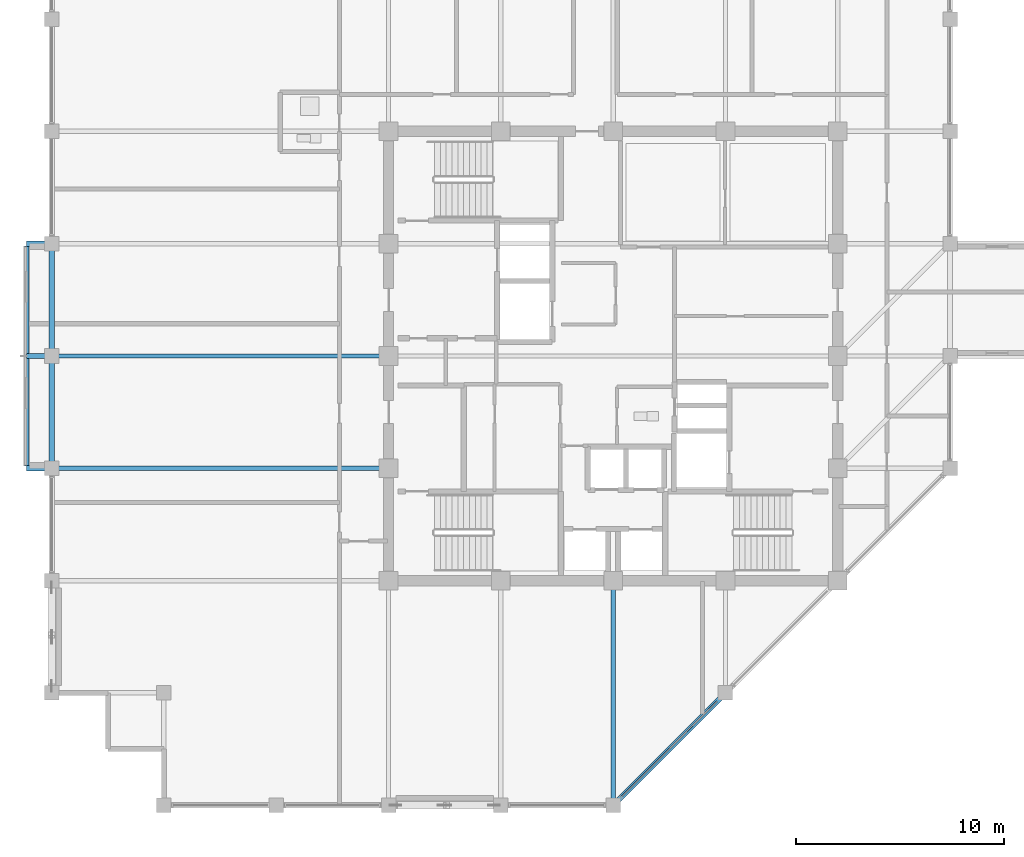
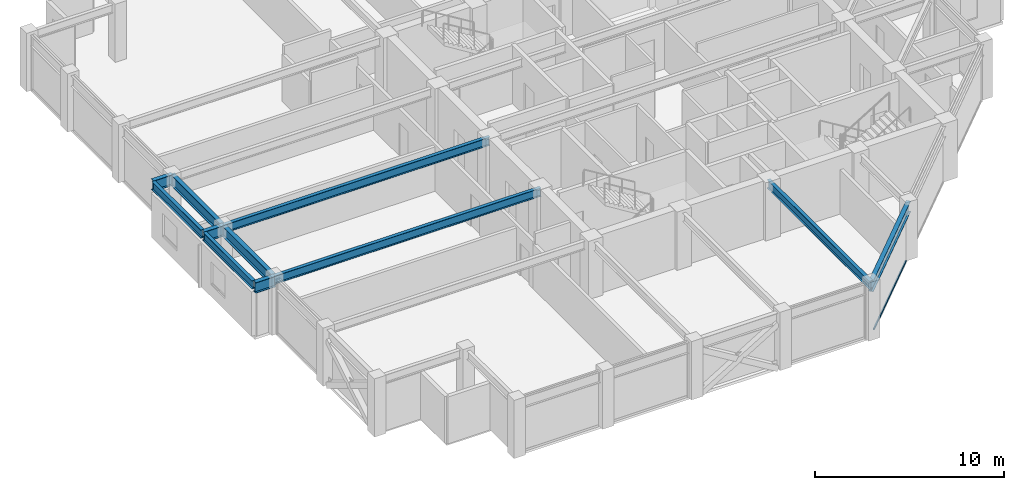
# One storey, part 7 of 30: 11 beams, 1 member, 1 element without a shape of its own.
"""IFC4 building model written with IfcOpenShell, lengths in metres."""

from ifc_helpers import new_model, si_unit, direction, frame, origin, origin_2d, place, context, subcontext, project, spatial, hollow_rectangle, i_section, extrude, material, layer, layer_set, material_profile, profile_set, type_object, element, aggregate, save


model = new_model("IFC4")

# Units and contexts
model_context = context("Model", 3, precision=1e-05, world=origin(), true_north=direction((0.0, 1.0)))
body_context = subcontext(model_context, "Body", "Model", "MODEL_VIEW")
ifc_project = project(units=[si_unit("LENGTHUNIT", "METRE"), si_unit("AREAUNIT", "SQUARE_METRE"), si_unit("VOLUMEUNIT", "CUBIC_METRE"), si_unit("PLANEANGLEUNIT", "RADIAN"), si_unit("MASSUNIT", "GRAM", prefix="KILO")], contexts=[model_context])

# Site, building, storey
site_placement = place(None, origin())
site = spatial("IfcSite", under=ifc_project, at=site_placement, CompositionType="ELEMENT")
building_placement = place(site_placement, origin())
building = spatial("IfcBuilding", under=site, at=building_placement, Name="Surkhivell Harbour Commons", CompositionType="ELEMENT")
storey_placement = place(building_placement, frame((0.0, 0.0, 307.5)))
storey = spatial("IfcBuildingStorey", under=building, at=storey_placement, Name="L80", CompositionType="ELEMENT", Elevation=307.5)

# Beams
ifc_material_1 = material(Name="Steel S460", Category="steel")
ifc_material_profile_1 = material_profile(ifc_material_1, i_section(OverallWidth=0.256103515625, OverallDepth=0.693115234375, WebThickness=0.014404296875, FlangeThickness=0.023681640625, at=origin_2d()), Name="UB686x254x170")
ifc_profile_set_1 = profile_set([ifc_material_profile_1], Name="Steel S460")
beam_type_1 = type_object("IfcBeamType", Name="BM-CNT-686", PredefinedType="BEAM", material=ifc_profile_set_1)
for number, where, z_axis, x_axis, name in (
    (1, (-27.0, -5.39990234375, 3.223388671875), (-1.0, 0.0, 0.0), (0.0, -1.0, 0.0), "L80 Box Cantilever Outrigger (-27.0,-5.4)"),
    (2, (-27.0, 0.0, 3.223388671875), (-1.0, 0.0, 0.0), (0.0, -1.0, 0.0), "L80 Box Cantilever Outrigger (-27.0,0.0)"),
    (3, (-27.0, 5.39990234375, 3.223388671875), (-1.0, 0.0, 0.0), (0.0, -1.0, 0.0), "L80 Box Cantilever Outrigger (-27.0,5.4)"),
):
    element("IfcBeam", number, at=place(storey_placement, frame(where, z_axis=z_axis, x_axis=x_axis)), inside=storey, type_object=beam_type_1, Name=name, PredefinedType="BEAM", context=body_context, shape_type="SweptSolid", body=[
        extrude(i_section(OverallWidth=0.256103515625, OverallDepth=0.693115234375, WebThickness=0.014404296875, FlangeThickness=0.023681640625, at=origin_2d()), origin(), (0.0, 0.0, 1.0), 1.199951171875),
    ])
ifc_material_2 = material(Name="Steel S355", Category="steel")
ifc_material_profile_2 = material_profile(ifc_material_2, i_section(OverallWidth=0.2099609375, OverallDepth=0.537109375, WebThickness=0.0107421875, FlangeThickness=0.017333984375, at=origin_2d()), Name="UB533x210x101")
ifc_profile_set_2 = profile_set([ifc_material_profile_2], Name="Steel S355")
beam_type_2 = type_object("IfcBeamType", Name="BM-GRD-533B", PredefinedType="BEAM", material=ifc_profile_set_2)
for number, where, z_axis, x_axis, name in (
    (4, (-27.0, -5.39990234375, 3.301513671875), (1.0, 0.0, 0.0), (0.0, 1.0, 0.0), "L80 Floor Girder (-27.0,-5.4)"),
    (5, (-27.0, 0.0, 3.301513671875), (1.0, 0.0, 0.0), (0.0, 1.0, 0.0), "L80 Floor Girder (-27.0,0.0)"),
):
    element("IfcBeam", number, at=place(storey_placement, frame(where, z_axis=z_axis, x_axis=x_axis)), inside=storey, type_object=beam_type_2, Name=name, PredefinedType="BEAM", context=body_context, shape_type="SweptSolid", body=[
        extrude(i_section(OverallWidth=0.2099609375, OverallDepth=0.537109375, WebThickness=0.0107421875, FlangeThickness=0.017333984375, at=origin_2d()), origin(), (0.0, 0.0, 1.0), 16.199951171875),
    ])
beam_1_placement = place(storey_placement, frame((0.0, -21.60009765625, 3.301513671875), z_axis=(0.0, 1.0, 0.0), x_axis=(-1.0, 0.0, 0.0)))
element("IfcBeam", 6, at=beam_1_placement, inside=storey, type_object=beam_type_2, Name="L80 Floor Girder (0.0,-21.6)", PredefinedType="BEAM", context=body_context, shape_type="SweptSolid", body=[
    extrude(i_section(OverallWidth=0.2099609375, OverallDepth=0.537109375, WebThickness=0.0107421875, FlangeThickness=0.017333984375, at=origin_2d()), origin(), (0.0, 0.0, 1.0), 10.800048828125),
])
for number, where, z_axis, x_axis, name in (
    (7, (-28.199951171875, -5.278076171875, 3.301513671875), (0.0, 1.0, 0.0), (-1.0, 0.0, 0.0), "L80 Box Rim Spandrel (-28.2,-5.4)"),
    (8, (-28.199951171875, 0.1220703125, 3.301513671875), (0.0, 1.0, 0.0), (-1.0, 0.0, 0.0), "L80 Box Rim Spandrel (-28.2,0.0)"),
):
    element("IfcBeam", number, at=place(storey_placement, frame(where, z_axis=z_axis, x_axis=x_axis)), inside=storey, type_object=beam_type_2, Name=name, PredefinedType="BEAM", context=body_context, shape_type="SweptSolid", body=[
        extrude(i_section(OverallWidth=0.2099609375, OverallDepth=0.537109375, WebThickness=0.0107421875, FlangeThickness=0.017333984375, at=origin_2d()), origin(), (0.0, 0.0, 1.0), 5.156005859375),
    ])
ifc_material_profile_3 = material_profile(ifc_material_2, i_section(OverallWidth=0.256103515625, OverallDepth=0.693115234375, WebThickness=0.014404296875, FlangeThickness=0.023681640625, at=origin_2d()), Name="UB686x254x170")
ifc_profile_set_3 = profile_set([ifc_material_profile_3], Name="Steel S355")
beam_type_3 = type_object("IfcBeamType", Name="BM-SPN-686", PredefinedType="SPANDREL", material=ifc_profile_set_3)
for number, where, z_axis, x_axis, name in (
    (9, (-27.0, -5.39990234375, 3.223388671875), (0.0, 1.0, 0.0), (-1.0, 0.0, 0.0), "L80 Tube Spandrel (-27.0,-5.4)"),
    (10, (-27.0, 0.0, 3.223388671875), (0.0, 1.0, 0.0), (-1.0, 0.0, 0.0), "L80 Tube Spandrel (-27.0,0.0)"),
):
    element("IfcBeam", number, at=place(storey_placement, frame(where, z_axis=z_axis, x_axis=x_axis)), inside=storey, type_object=beam_type_3, Name=name, PredefinedType="SPANDREL", context=body_context, shape_type="SweptSolid", body=[
        extrude(i_section(OverallWidth=0.256103515625, OverallDepth=0.693115234375, WebThickness=0.014404296875, FlangeThickness=0.023681640625, at=origin_2d()), origin(), (0.0, 0.0, 1.0), 5.39990234375),
    ])
beam_2_placement = place(storey_placement, frame((0.0, -21.60009765625, 3.223388671875), z_axis=(0.707090796496, 0.707122765516, 0.0), x_axis=(-0.707122765516, 0.707090796496, 0.0)))
element("IfcBeam", 11, at=beam_2_placement, inside=storey, type_object=beam_type_3, Name="L80 Tube Spandrel (-0.0,-21.6)", PredefinedType="SPANDREL", context=body_context, shape_type="SweptSolid", body=[
    extrude(i_section(OverallWidth=0.256103515625, OverallDepth=0.693115234375, WebThickness=0.014404296875, FlangeThickness=0.023681640625, at=origin_2d()), origin(), (0.0, 0.0, 1.0), 7.63671875),
])

# Curtain wall, member
ifc_material_3 = material(Name="Anodised pale-metal aluminium and insulated glazing", Category="aluminium")
ifc_layer = layer(ifc_material_3, 0.175048828125)
ifc_layer_set = layer_set([ifc_layer], Name="Anodised pale-metal aluminium and insulated glazing")
curtain_wall_type = type_object("IfcCurtainWallType", Name="CW-SYS-Z4", PredefinedType="NOTDEFINED", material=ifc_layer_set)
curtain_wall_placement = place(storey_placement, origin())
curtain_wall = element("IfcCurtainWall", 12, at=curtain_wall_placement, inside=storey, type_object=curtain_wall_type, Name="L80 Curtain Wall CW-L80-E01", PredefinedType="NOTDEFINED")
ifc_material_4 = material(Name="Champagne anodised aluminium alloy 6063-T6", Category="aluminium")
ifc_material_profile_4 = material_profile(ifc_material_4, hollow_rectangle(XDim=0.070068359375, YDim=0.1298828125, WallThickness=0.00341796875, at=origin_2d()), Name="ALU-TRAN-70x130")
ifc_profile_set_4 = profile_set([ifc_material_profile_4], Name="Champagne anodised aluminium alloy 6063-T6")
member_type = type_object("IfcMemberType", Name="CWT-130", PredefinedType="USERDEFINED", material=ifc_profile_set_4)
member_placement = place(storey_placement, frame((0.404541015625, -21.1953125, 0.06494140625), z_axis=(0.707125583467, 0.707087978406, 0.0), x_axis=(-0.707087978406, 0.707125583467, 0.0)))
member = element("IfcMember", 13, at=member_placement, type_object=member_type, Name="CW-Z4 transom 1.1", ObjectType="TRANSOM", PredefinedType="USERDEFINED", context=body_context, shape_type="SweptSolid", body=[
    extrude(hollow_rectangle(XDim=0.070068359375, YDim=0.1298828125, WallThickness=0.00341796875, at=origin_2d()), origin(), (0.0, 0.0, 1.0), 6.4921875),
])
aggregate(curtain_wall, [member])

save(model, "model.ifc")
